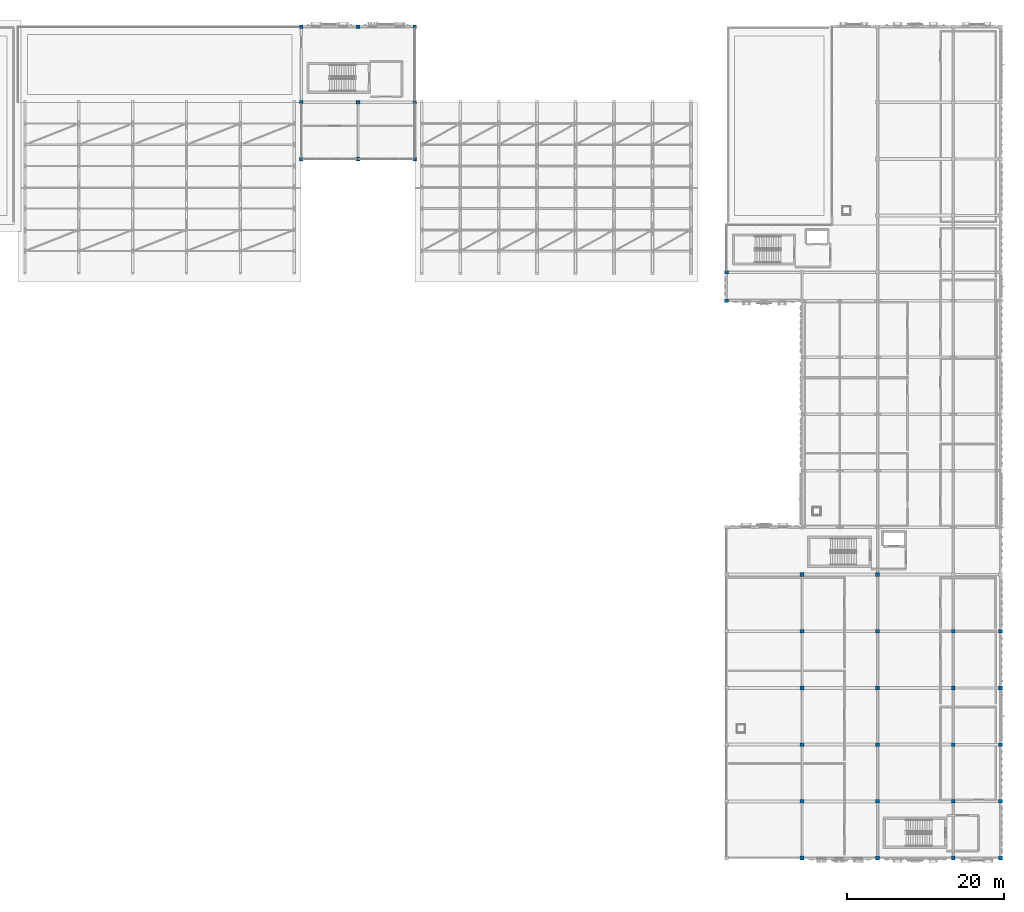
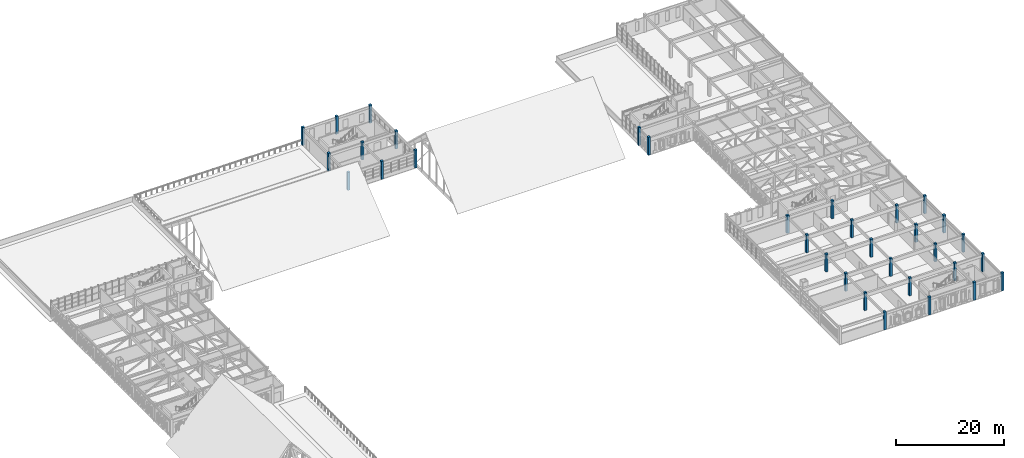
# One storey, part 4 of 79: 33 columns.
"""IFC4 building model written with IfcOpenShell, lengths in metres."""

from ifc_helpers import new_model, si_unit, direction, frame, origin, origin_2d, place, context, subcontext, project, spatial, rectangle, extrude, material, material_profile, profile_set, type_object, element, save


model = new_model("IFC4")

# Units and contexts
model_context = context("Model", 3, precision=1e-05, world=origin(), true_north=direction((0.0, 1.0)))
body_context = subcontext(model_context, "Body", "Model", "MODEL_VIEW")
ifc_project = project(units=[si_unit("LENGTHUNIT", "METRE"), si_unit("AREAUNIT", "SQUARE_METRE"), si_unit("VOLUMEUNIT", "CUBIC_METRE"), si_unit("PLANEANGLEUNIT", "RADIAN"), si_unit("MASSUNIT", "GRAM", prefix="KILO")], contexts=[model_context])

# Site, building, storey
site_placement = place(None, origin())
site = spatial("IfcSite", under=ifc_project, at=site_placement, CompositionType="ELEMENT")
building_placement = place(site_placement, origin())
building = spatial("IfcBuilding", under=site, at=building_placement, Name="Nzembalo Square Collegiate School", CompositionType="ELEMENT")
storey_placement = place(building_placement, frame((0.0, 0.0, 9.52001953125)))
storey = spatial("IfcBuildingStorey", under=building, at=storey_placement, Name="L02", CompositionType="ELEMENT", Elevation=9.52001953125)

# Columns
ifc_material = material(Name="Glulam GL28h", Category="wood")
ifc_material_profile = material_profile(ifc_material, rectangle(XDim=0.47998046875, YDim=0.47998046875, at=origin_2d()), Name="GL28h 480x480")
ifc_profile_set = profile_set([ifc_material_profile], Name="Glulam GL28h")
column_type = type_object("IfcColumnType", Name="C05", PredefinedType="COLUMN", material=ifc_profile_set)
for number, where, z_axis, x_axis, name in (
    (1, (76.800048828125, 97.199951171875, 0.0), (0.0, 0.0, 1.0), (1.0, 0.0, 0.0), "Column C05 L02 12/O"),
    (2, (76.800048828125, 104.39990234375, 0.0), (0.0, 0.0, 1.0), (1.0, 0.0, 0.0), "Column C05 L02 12/P"),
    (3, (76.800048828125, 114.0, 0.0), (0.0, 0.0, 1.0), (1.0, 0.0, 0.0), "Column C05 L02 12/Q"),
    (4, (84.0, 97.199951171875, 0.0), (0.0, 0.0, 1.0), (1.0, 0.0, 0.0), "Column C05 L02 13/O"),
    (5, (84.0, 104.39990234375, 0.0), (0.0, 0.0, 1.0), (1.0, 0.0, 0.0), "Column C05 L02 13/P"),
    (6, (84.0, 114.0, 0.0), (0.0, 0.0, 1.0), (1.0, 0.0, 0.0), "Column C05 L02 13/Q"),
    (7, (91.199951171875, 97.199951171875, 0.0), (0.0, 0.0, 1.0), (1.0, 0.0, 0.0), "Column C05 L02 14/O"),
    (8, (91.199951171875, 104.39990234375, 0.0), (0.0, 0.0, 1.0), (1.0, 0.0, 0.0), "Column C05 L02 14/P"),
    (9, (91.199951171875, 114.0, 0.0), (0.0, 0.0, 1.0), (1.0, 0.0, 0.0), "Column C05 L02 14/Q"),
    (10, (130.800048828125, 79.199951171875, 0.0), (0.0, 0.0, 1.0), (1.0, 0.0, 0.0), "Column C05 L02 20/L"),
    (11, (130.800048828125, 82.800048828125, 0.0), (0.0, 0.0, 1.0), (1.0, 0.0, 0.0), "Column C05 L02 20/M"),
    (12, (140.39990234375, 8.39990234375, 0.0), (0.0, 0.0, 1.0), (1.0, 0.0, 0.0), "Column C05 L02 21/B"),
    (13, (140.39990234375, 15.60009765625, 0.0), (0.0, 0.0, 1.0), (1.0, 0.0, 0.0), "Column C05 L02 21/C"),
    (14, (140.39990234375, 22.800048828125, 0.0), (0.0, 0.0, 1.0), (1.0, 0.0, 0.0), "Column C05 L02 21/D"),
    (15, (140.39990234375, 30.0, 0.0), (0.0, 0.0, 1.0), (1.0, 0.0, 0.0), "Column C05 L02 21/E"),
    (16, (140.39990234375, 37.199951171875, 0.0), (0.0, 0.0, 1.0), (1.0, 0.0, 0.0), "Column C05 L02 21/F"),
    (17, (140.39990234375, 44.39990234375, 0.0), (0.0, 0.0, 1.0), (1.0, 0.0, 0.0), "Column C05 L02 21/G"),
    (18, (150.0, 8.39990234375, 0.0), (0.0, 0.0, 1.0), (1.0, 0.0, 0.0), "Column C05 L02 22/B"),
    (19, (150.0, 15.60009765625, 0.0), (0.0, 0.0, 1.0), (1.0, 0.0, 0.0), "Column C05 L02 22/C"),
    (20, (150.0, 22.800048828125, 0.0), (0.0, 0.0, 1.0), (1.0, 0.0, 0.0), "Column C05 L02 22/D"),
    (21, (150.0, 30.0, 0.0), (0.0, 0.0, 1.0), (1.0, 0.0, 0.0), "Column C05 L02 22/E"),
    (22, (150.0, 37.199951171875, 0.0), (0.0, 0.0, 1.0), (1.0, 0.0, 0.0), "Column C05 L02 22/F"),
    (23, (150.0, 44.39990234375, 0.0), (0.0, 0.0, 1.0), (1.0, 0.0, 0.0), "Column C05 L02 22/G"),
    (24, (159.60009765625, 8.39990234375, 0.0), (0.0, 0.0, 1.0), (1.0, 0.0, 0.0), "Column C05 L02 23/B"),
    (25, (159.60009765625, 15.60009765625, 0.0), (0.0, 0.0, 1.0), (1.0, 0.0, 0.0), "Column C05 L02 23/C"),
    (26, (159.60009765625, 22.800048828125, 0.0), (0.0, 0.0, 1.0), (1.0, 0.0, 0.0), "Column C05 L02 23/D"),
    (27, (159.60009765625, 30.0, 0.0), (0.0, 0.0, 1.0), (1.0, 0.0, 0.0), "Column C05 L02 23/E"),
    (28, (159.60009765625, 37.199951171875, 0.0), (0.0, 0.0, 1.0), (1.0, 0.0, 0.0), "Column C05 L02 23/F"),
    (29, (165.60009765625, 8.39990234375, 0.0), (0.0, 0.0, 1.0), (1.0, 0.0, 0.0), "Column C05 L02 24/B"),
    (30, (165.60009765625, 15.60009765625, 0.0), (0.0, 0.0, 1.0), (1.0, 0.0, 0.0), "Column C05 L02 24/C"),
    (31, (165.60009765625, 22.800048828125, 0.0), (0.0, 0.0, 1.0), (1.0, 0.0, 0.0), "Column C05 L02 24/D"),
    (32, (165.60009765625, 30.0, 0.0), (0.0, 0.0, 1.0), (1.0, 0.0, 0.0), "Column C05 L02 24/E"),
    (33, (165.60009765625, 37.199951171875, 0.0), (0.0, 0.0, 1.0), (1.0, 0.0, 0.0), "Column C05 L02 24/F"),
):
    element("IfcColumn", number, at=place(storey_placement, frame(where, z_axis=z_axis, x_axis=x_axis)), inside=storey, type_object=column_type, Name=name, PredefinedType="COLUMN", context=body_context, shape_type="SweptSolid", body=[
        extrude(rectangle(XDim=0.47998046875, YDim=0.47998046875, at=origin_2d()), origin(), (0.0, 0.0, 1.0), 4.080078125),
    ])

save(model, "model.ifc")
